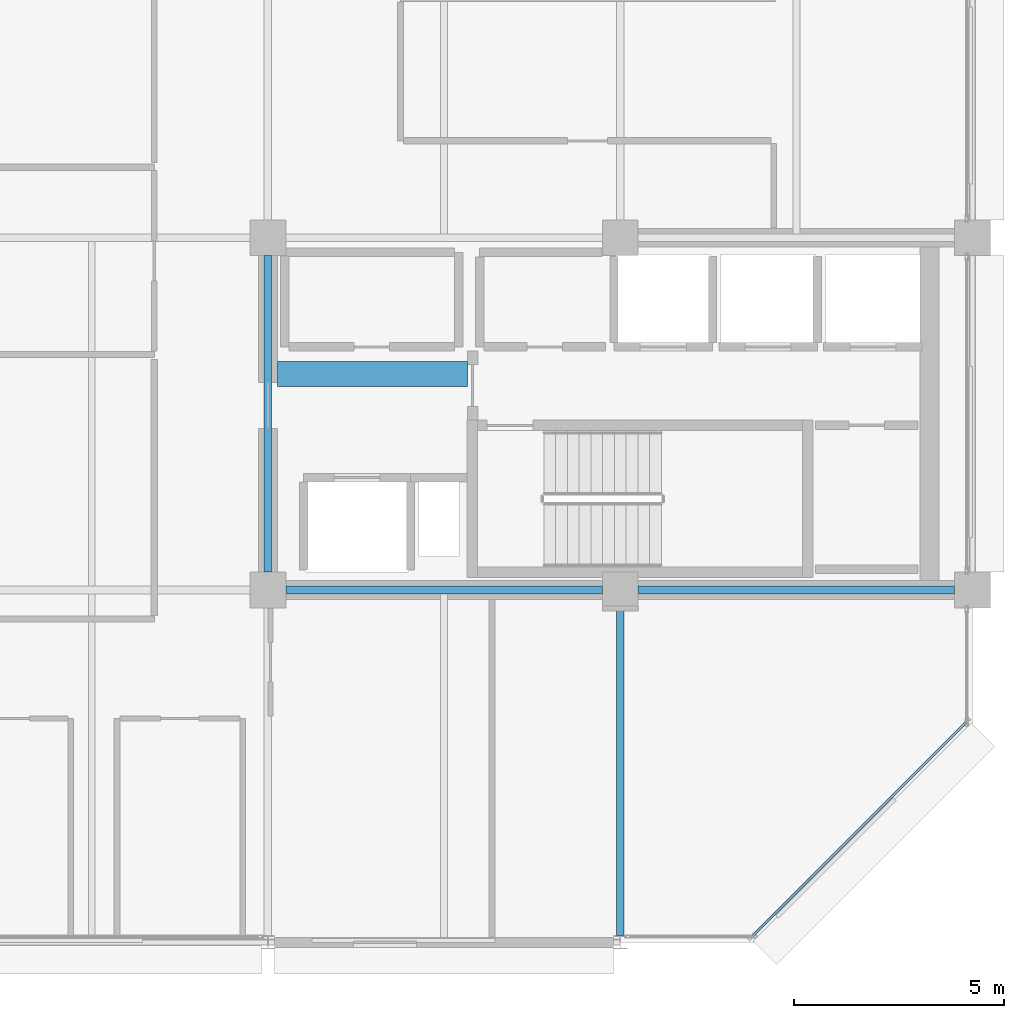
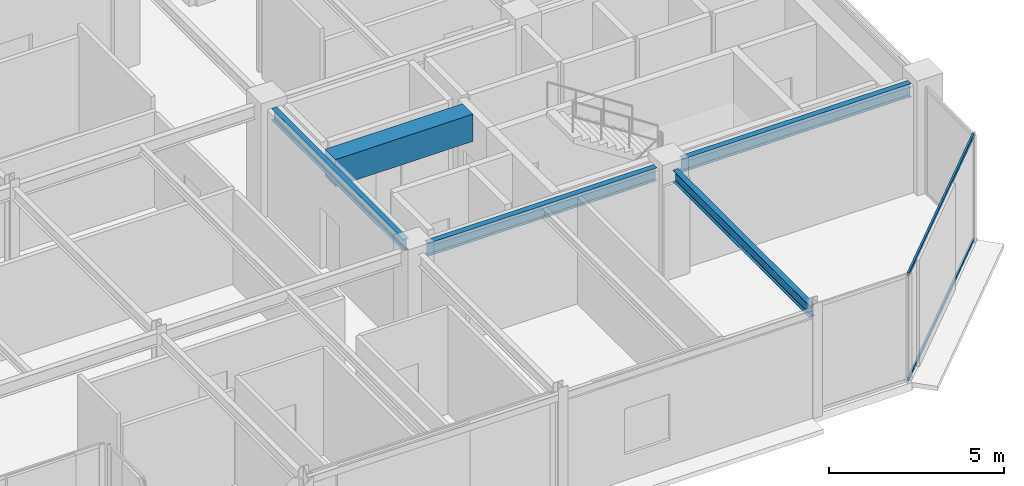
# One storey, part 8 of 25: 5 beams, 2 members, 1 element without a shape of its own.
"""IFC4 building model written with IfcOpenShell, lengths in metres."""

import ifcopenshell
import ifcopenshell.guid

model = None  # the IFC model being written
_history = None  # IfcOwnerHistory: only IFC2X3 demands one
_inside = {}  # id of a spatial element -> (the spatial element, [elements in it])
_under = {}  # id of a project, library or spatial element -> (it, [spatial elements below it])
_declared = {}  # id of a project -> (the project, [libraries it declares])
_typed = {}  # id of a type object -> (the type object, [elements of that type])
_made_of = {}  # id of a material, layer set ... -> (it, [elements and type objects made of it])


def new_model(schema):
    """Start an empty IFC model of exactly this schema.

    Asked for "IFC4X3", IfcOpenShell would pick the latest addendum, in which some entities
    have other attributes; the version numbers below select the first issue.
    IFC2X3 requires an IfcOwnerHistory on every rooted entity: one is made here for all.
    """
    global model, _history
    if schema == "IFC4X3":
        model = ifcopenshell.file(schema_version=(4, 3, 0, 0))
    else:
        model = ifcopenshell.file(schema=schema)
    _inside.clear()
    _under.clear()
    _declared.clear()
    _typed.clear()
    _made_of.clear()
    _history = None
    if model.schema == "IFC2X3":
        org = make("IfcOrganization", Name="unknown")
        user = make(
            "IfcPersonAndOrganization",
            ThePerson=make("IfcPerson", FamilyName="unknown"),
            TheOrganization=org,
        )
        app = make(
            "IfcApplication",
            ApplicationDeveloper=org,
            Version="unknown",
            ApplicationFullName="unknown",
            ApplicationIdentifier="unknown",
        )
        _history = make(
            "IfcOwnerHistory",
            OwningUser=user,
            OwningApplication=app,
            ChangeAction="ADDED",
            CreationDate=0,
        )
    return model


def make(cls, **values):
    """One entity of the class cls with the attributes given. An attribute that is None is left unset."""
    return model.create_entity(
        cls, **{name: value for name, value in values.items() if value is not None}
    )


def rooted(cls, **values):
    """An entity with a GlobalId (a new one), such as an element, a storey or a relation."""
    return make(cls, GlobalId=ifcopenshell.guid.new(), OwnerHistory=_history, **values)


def si_unit(unit_type, name, prefix=None):
    """IfcSIUnit, for example si_unit("LENGTHUNIT", "METRE", prefix="MILLI")."""
    return make("IfcSIUnit", UnitType=unit_type, Prefix=prefix, Name=name)


def assignment(units):
    """IfcUnitAssignment: the units of a project."""
    return None if units is None else make("IfcUnitAssignment", Units=units)


def point(xyz):
    """IfcCartesianPoint."""
    return None if xyz is None else make("IfcCartesianPoint", Coordinates=xyz)


def direction(xyz):
    """IfcDirection."""
    return None if xyz is None else make("IfcDirection", DirectionRatios=xyz)


def frame(location, z_axis=None, x_axis=None):
    """IfcAxis2Placement3D, a coordinate frame: its origin and axes. An axis left out is left unset."""
    return make(
        "IfcAxis2Placement3D",
        Location=point(location),
        Axis=direction(z_axis),
        RefDirection=direction(x_axis),
    )


def frame_2d(location, x_axis=None):
    """IfcAxis2Placement2D, a coordinate frame in the plane: its origin and x axis."""
    return make(
        "IfcAxis2Placement2D", Location=point(location), RefDirection=direction(x_axis)
    )


def origin():
    """The frame at (0, 0, 0) with its axes left unset."""
    return frame((0.0, 0.0, 0.0))


def origin_2d():
    """The frame at (0, 0) in the plane with its x axis left unset."""
    return frame_2d((0.0, 0.0))


def place(relative_to, where):
    """IfcLocalPlacement: puts the frame where relative to a parent placement (None: the world)."""
    return make(
        "IfcLocalPlacement", PlacementRelTo=relative_to, RelativePlacement=where
    )


def context(
    kind, dimensions, precision=None, world=None, true_north=None, identifier=None
):
    """IfcGeometricRepresentationContext, for example the 3D "Model" context."""
    return make(
        "IfcGeometricRepresentationContext",
        ContextIdentifier=identifier,
        ContextType=kind,
        CoordinateSpaceDimension=dimensions,
        Precision=precision,
        WorldCoordinateSystem=world,
        TrueNorth=true_north,
    )


def subcontext(parent, identifier, kind, view, scale=None):
    """IfcGeometricRepresentationSubContext, for example "Body" below "Model"."""
    return make(
        "IfcGeometricRepresentationSubContext",
        ContextIdentifier=identifier,
        ContextType=kind,
        ParentContext=parent,
        TargetScale=scale,
        TargetView=view,
    )


def project(units=None, contexts=None):
    """IfcProject with its units and contexts."""
    return rooted(
        "IfcProject",
        Name="project",
        RepresentationContexts=contexts,
        UnitsInContext=assignment(units),
    )


def spatial(cls, under=None, at=None, **own):
    """A site, building, storey or space (cls), placed at a placement, below another one or the project."""
    s = rooted(cls, ObjectPlacement=at, **own)
    if under is not None:
        _under.setdefault(under.id(), (under, []))[1].append(s)
    return s


def profile(cls, at=None, kind="AREA", **sizes):
    """A parametric profile (cls). Its sizes go by their IFC names, for example OverallWidth=200.0."""
    return make(cls, ProfileType=kind, Position=at, **sizes)


def rectangle(**sizes):
    """IfcRectangleProfileDef."""
    return profile("IfcRectangleProfileDef", **sizes)


def hollow_rectangle(**sizes):
    """IfcRectangleHollowProfileDef."""
    return profile("IfcRectangleHollowProfileDef", **sizes)


def i_section(**sizes):
    """IfcIShapeProfileDef."""
    return profile("IfcIShapeProfileDef", **sizes)


def extrude(swept, where, along, depth):
    """IfcExtrudedAreaSolid: the profile swept, set in the frame where, extruded along a direction by depth."""
    return make(
        "IfcExtrudedAreaSolid",
        SweptArea=swept,
        Position=where,
        ExtrudedDirection=direction(along),
        Depth=depth,
    )


def shape(context_of_items, identifier, shape_type, items):
    """IfcShapeRepresentation: the items that make up one representation, for example the "Body"."""
    return make(
        "IfcShapeRepresentation",
        ContextOfItems=context_of_items,
        RepresentationIdentifier=identifier,
        RepresentationType=shape_type,
        Items=items,
    )


def material(Name=None, Category=None):
    """IfcMaterial."""
    return make("IfcMaterial", Name=Name, Category=Category)


def layer(
    of_material, thickness, ventilated=None, Name=None, Category=None, Priority=None
):
    """IfcMaterialLayer: one layer of a wall or slab, of a material (None: an air gap)."""
    return make(
        "IfcMaterialLayer",
        Material=of_material,
        LayerThickness=thickness,
        IsVentilated=ventilated,
        Name=Name,
        Category=Category,
        Priority=Priority,
    )


def layer_set(layers, Name=None):
    """IfcMaterialLayerSet."""
    return make("IfcMaterialLayerSet", MaterialLayers=layers, LayerSetName=Name)


def material_profile(
    of_material, cross_section, Name=None, Category=None, Priority=None
):
    """IfcMaterialProfile: a cross section and its material."""
    return make(
        "IfcMaterialProfile",
        Name=Name,
        Material=of_material,
        Profile=cross_section,
        Priority=Priority,
        Category=Category,
    )


def profile_set(profiles, Name=None, composite=None):
    """IfcMaterialProfileSet."""
    return make(
        "IfcMaterialProfileSet",
        Name=Name,
        MaterialProfiles=profiles,
        CompositeProfile=composite,
    )


def made_of(thing, what):
    """Note that an element or type object is made of a material, layer set ...; save() writes the relation."""
    if what is not None:
        _made_of.setdefault(what.id(), (what, []))[1].append(thing)
    return thing


def type_object(cls, material=None, **own):
    """A type object (cls), such as IfcWallType, which elements share."""
    return made_of(rooted(cls, **own), material)


def element(
    cls,
    number,
    at=None,
    inside=None,
    cuts=None,
    type_object=None,
    material=None,
    context=None,
    identifier="Body",
    shape_type=None,
    held_by="IfcProductDefinitionShape",
    body=None,
    shapes=None,
    **own,
):
    """One element of the class cls, such as IfcWall. Its Tag is "e" and its number.

    at: its placement. inside: the storey or other place that contains it. cuts: it is an
    opening in that element (IfcRelVoidsElement). A single representation is given by context,
    identifier, shape_type and body (its items); several are given by shapes. held_by: the class
    of the entity that holds the representations. save() writes the other relations.
    """
    e = rooted(cls, Tag="e%d" % number, ObjectPlacement=at, **own)
    if body is not None:
        shapes = [shape(context, identifier, shape_type, body)]
    if shapes is not None:
        e.Representation = make(held_by, Representations=shapes)
    if inside is not None:
        _inside.setdefault(inside.id(), (inside, []))[1].append(e)
    if cuts is not None:
        rooted(
            "IfcRelVoidsElement", RelatingBuildingElement=cuts, RelatedOpeningElement=e
        )
    if type_object is not None:
        _typed.setdefault(type_object.id(), (type_object, []))[1].append(e)
    return made_of(e, material)


def aggregate(whole, parts):
    """IfcRelAggregates: a whole, such as a stair, and the parts it consists of."""
    return rooted("IfcRelAggregates", RelatingObject=whole, RelatedObjects=parts)


def save(model, path):
    """Write the relations noted so far, then the file.

    IfcRelAggregates (storeys below a building ...), IfcRelContainedInSpatialStructure (elements
    in a storey), IfcRelDefinesByType, IfcRelAssociatesMaterial and IfcRelDeclares: one each for
    every whole, place, type object, material and project.
    """
    for whole, parts in _under.values():
        aggregate(whole, parts)
    for where, things in _inside.values():
        rooted(
            "IfcRelContainedInSpatialStructure",
            RelatedElements=things,
            RelatingStructure=where,
        )
    for kind, things in _typed.values():
        rooted("IfcRelDefinesByType", RelatedObjects=things, RelatingType=kind)
    for what, things in _made_of.values():
        rooted("IfcRelAssociatesMaterial", RelatedObjects=things, RelatingMaterial=what)
    for by, libraries in _declared.values():
        rooted("IfcRelDeclares", RelatingContext=by, RelatedDefinitions=libraries)
    model.write(path)


model = new_model("IFC4")

# Units and contexts
model_context = context("Model", 3, precision=1e-05, world=origin(), true_north=direction((0.0, 1.0)))
body_context = subcontext(model_context, "Body", "Model", "MODEL_VIEW")
ifc_project = project(units=[si_unit("LENGTHUNIT", "METRE"), si_unit("AREAUNIT", "SQUARE_METRE"), si_unit("VOLUMEUNIT", "CUBIC_METRE"), si_unit("PLANEANGLEUNIT", "RADIAN"), si_unit("MASSUNIT", "GRAM", prefix="KILO")], contexts=[model_context])

# Site, building, storey
site_placement = place(None, origin())
site = spatial("IfcSite", under=ifc_project, at=site_placement, CompositionType="ELEMENT")
building_placement = place(site_placement, origin())
building = spatial("IfcBuilding", under=site, at=building_placement, Name="Nerrivon Quay Data Exchange", CompositionType="ELEMENT")
storey_placement = place(building_placement, frame((0.0, 0.0, 290.199951171875)))
storey = spatial("IfcBuildingStorey", under=building, at=storey_placement, Name="L69", CompositionType="ELEMENT", Elevation=290.199951171875)

# Beams
ifc_material_1 = material(Name="Concrete N50 (50 MPa)", Category="concrete")
ifc_material_profile_1 = material_profile(ifc_material_1, rectangle(XDim=0.60009765625, YDim=0.949951171875, at=origin_2d()), Name="RC-CB-600x950")
ifc_profile_set_1 = profile_set([ifc_material_profile_1], Name="Concrete N50 (50 MPa)")
beam_type_1 = type_object("IfcBeamType", Name="BM-CB2-600x950", PredefinedType="LINTEL", material=ifc_profile_set_1)
beam_1_placement = place(storey_placement, frame((17.02490234375, 13.550048828125, 3.25), z_axis=(1.0, 0.0, 0.0), x_axis=(0.0, 1.0, 0.0)))
element("IfcBeam", 1, at=beam_1_placement, inside=storey, type_object=beam_type_1, Name="L69 East Core Coupling Beam", PredefinedType="LINTEL", context=body_context, shape_type="SweptSolid", body=[
    extrude(rectangle(XDim=0.60009765625, YDim=0.949951171875, at=origin_2d()), origin(), (0.0, 0.0, 1.0), 4.530029296875),
])
ifc_material_2 = material(Name="Steel Grade 350", Category="steel")
ifc_material_profile_2 = material_profile(ifc_material_2, i_section(OverallWidth=0.18994140625, OverallDepth=0.4541015625, WebThickness=0.008544921875, FlangeThickness=0.0126953125, FilletRadius=0.011474609375, at=origin_2d()), Name="460UB67.1")
ifc_profile_set_2 = profile_set([ifc_material_profile_2], Name="Steel Grade 350")
beam_type_2 = type_object("IfcBeamType", Name="BM-G6-460UB67", PredefinedType="BEAM", material=ifc_profile_set_2)
beam_2_placement = place(storey_placement, frame((17.22509765625, 8.39990234375, 3.498046875), z_axis=(1.0, 0.0, 0.0), x_axis=(0.0, 1.0, 0.0)))
element("IfcBeam", 2, at=beam_2_placement, inside=storey, type_object=beam_type_2, Name="L69 EW Girder Y=8.4 (16.8..25.2)", PredefinedType="BEAM", context=body_context, shape_type="SweptSolid", body=[
    extrude(i_section(OverallWidth=0.18994140625, OverallDepth=0.4541015625, WebThickness=0.008544921875, FlangeThickness=0.0126953125, FilletRadius=0.011474609375, at=origin_2d()), origin(), (0.0, 0.0, 1.0), 7.5498046875),
])
beam_3_placement = place(storey_placement, frame((25.625, 8.39990234375, 3.498046875), z_axis=(1.0, 0.0, 0.0), x_axis=(0.0, 1.0, 0.0)))
element("IfcBeam", 3, at=beam_3_placement, inside=storey, type_object=beam_type_2, Name="L69 EW Girder Y=8.4 (25.2..33.6)", PredefinedType="BEAM", context=body_context, shape_type="SweptSolid", body=[
    extrude(i_section(OverallWidth=0.18994140625, OverallDepth=0.4541015625, WebThickness=0.008544921875, FlangeThickness=0.0126953125, FilletRadius=0.011474609375, at=origin_2d()), origin(), (0.0, 0.0, 1.0), 7.550048828125),
])
ifc_material_profile_3 = material_profile(ifc_material_2, i_section(OverallWidth=0.177978515625, OverallDepth=0.406005859375, WebThickness=0.0078125, FlangeThickness=0.0126953125, FilletRadius=0.011474609375, at=origin_2d()), Name="410UB59.7")
ifc_profile_set_3 = profile_set([ifc_material_profile_3], Name="Steel Grade 350")
beam_type_3 = type_object("IfcBeamType", Name="BM-J1-410UB60", PredefinedType="JOIST", material=ifc_profile_set_3)
beam_4_placement = place(storey_placement, frame((16.800048828125, 8.824951171875, 3.52197265625), z_axis=(0.0, 1.0, 0.0), x_axis=(-1.0, 0.0, 0.0)))
element("IfcBeam", 4, at=beam_4_placement, inside=storey, type_object=beam_type_3, Name="L69 NS Girder X=16.8 (8.4..16.8)", PredefinedType="JOIST", context=body_context, shape_type="SweptSolid", body=[
    extrude(i_section(OverallWidth=0.177978515625, OverallDepth=0.406005859375, WebThickness=0.0078125, FlangeThickness=0.0126953125, FilletRadius=0.011474609375, at=origin_2d()), origin(), (0.0, 0.0, 1.0), 7.550048828125),
])
beam_5_placement = place(storey_placement, frame((25.199951171875, 0.16357421875, 3.52197265625), z_axis=(0.0, 1.0, 0.0), x_axis=(-1.0, 0.0, 0.0)))
element("IfcBeam", 5, at=beam_5_placement, inside=storey, type_object=beam_type_3, Name="L69 NS Girder X=25.2 (0.0..8.4)", PredefinedType="JOIST", context=body_context, shape_type="SweptSolid", body=[
    extrude(i_section(OverallWidth=0.177978515625, OverallDepth=0.406005859375, WebThickness=0.0078125, FlangeThickness=0.0126953125, FilletRadius=0.011474609375, at=origin_2d()), origin(), (0.0, 0.0, 1.0), 7.8115234375),
])

# Curtain wall, members
ifc_material_3 = material(Name="Anodised aluminium 6063-T6", Category="aluminium")
ifc_layer = layer(ifc_material_3, 0.195068359375)
ifc_layer_set = layer_set([ifc_layer], Name="Anodised aluminium 6063-T6")
curtain_wall_type = type_object("IfcCurtainWallType", Name="CW-SYS-06", PredefinedType="NOTDEFINED", material=ifc_layer_set)
curtain_wall_placement = place(storey_placement, origin())
curtain_wall = element("IfcCurtainWall", 6, at=curtain_wall_placement, inside=storey, type_object=curtain_wall_type, Name="L69 Unitised Curtain Wall 1", PredefinedType="NOTDEFINED")
ifc_material_profile_4 = material_profile(ifc_material_3, hollow_rectangle(XDim=0.06005859375, YDim=0.1201171875, WallThickness=0.003173828125, at=origin_2d()), Name="ALU-TRAN-120x60")
ifc_profile_set_4 = profile_set([ifc_material_profile_4], Name="Anodised aluminium 6063-T6")
member_type = type_object("IfcMemberType", Name="CWT-120x60", PredefinedType="USERDEFINED", material=ifc_profile_set_4)
member_1_placement = place(storey_placement, frame((33.447998046875, 5.245849609375, 0.032470703125), z_axis=(-0.707123726196, -0.707089835771, 0.0), x_axis=(0.707089835771, -0.707123726196, 0.0)))
member_1 = element("IfcMember", 7, at=member_1_placement, type_object=member_type, Name="CW06 transom 1.1", ObjectType="TRANSOM", PredefinedType="USERDEFINED", context=body_context, shape_type="SweptSolid", body=[
    extrude(hollow_rectangle(XDim=0.06005859375, YDim=0.1201171875, WallThickness=0.003173828125, at=origin_2d()), origin(), (0.0, 0.0, 1.0), 7.203857421875),
])
member_2_placement = place(storey_placement, frame((33.447998046875, 5.245849609375, 3.692626953125), z_axis=(-0.707123726196, -0.707089835771, 0.0), x_axis=(0.707089835771, -0.707123726196, 0.0)))
member_2 = element("IfcMember", 8, at=member_2_placement, type_object=member_type, Name="CW06 transom 1.2", ObjectType="TRANSOM", PredefinedType="USERDEFINED", context=body_context, shape_type="SweptSolid", body=[
    extrude(hollow_rectangle(XDim=0.06005859375, YDim=0.1201171875, WallThickness=0.003173828125, at=origin_2d()), origin(), (0.0, 0.0, 1.0), 7.203857421875),
])
aggregate(curtain_wall, [member_1, member_2])

save(model, "model.ifc")
